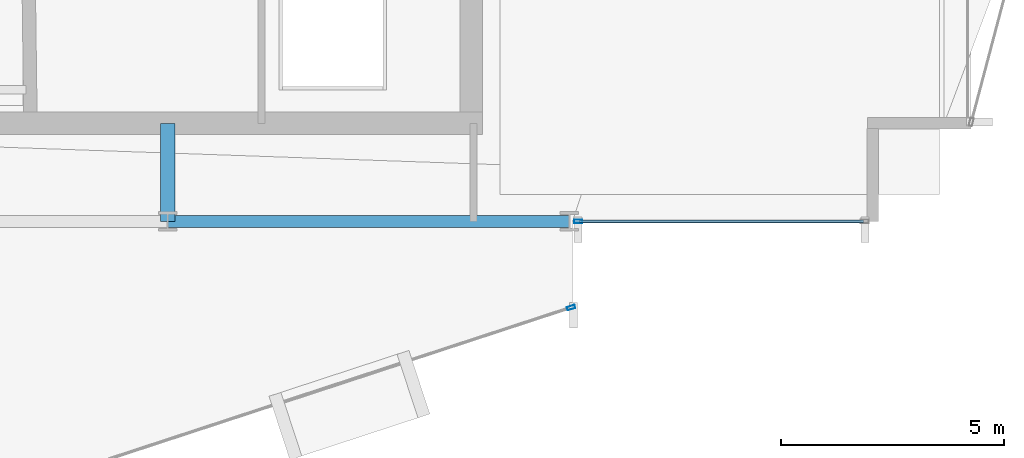
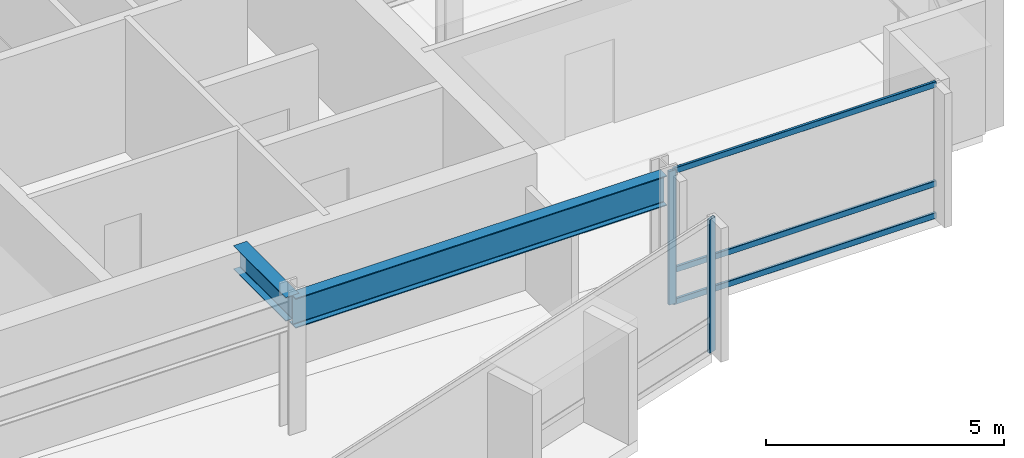
# One storey, part 10 of 29: 5 members, 2 beams, 2 elements without a shape of their own.
"""IFC4 building model written with IfcOpenShell, lengths in metres."""

from ifc_helpers import new_model, si_unit, direction, frame, origin, origin_2d, place, context, subcontext, project, spatial, hollow_rectangle, i_section, extrude, material, layer, layer_set, material_profile, profile_set, type_object, element, aggregate, save


model = new_model("IFC4")

# Units and contexts
model_context = context("Model", 3, precision=1e-05, world=origin(), true_north=direction((0.0, 1.0)))
body_context = subcontext(model_context, "Body", "Model", "MODEL_VIEW")
ifc_project = project(units=[si_unit("LENGTHUNIT", "METRE"), si_unit("AREAUNIT", "SQUARE_METRE"), si_unit("VOLUMEUNIT", "CUBIC_METRE"), si_unit("PLANEANGLEUNIT", "RADIAN"), si_unit("MASSUNIT", "GRAM", prefix="KILO")], contexts=[model_context])

# Site, building, storey
site_placement = place(None, origin())
site = spatial("IfcSite", under=ifc_project, at=site_placement, CompositionType="ELEMENT")
building_placement = place(site_placement, origin())
building = spatial("IfcBuilding", under=site, at=building_placement, Name="Solvaryn Broadcast Tower", CompositionType="ELEMENT")
storey_placement = place(building_placement, frame((0.0, 0.0, 161.800048828125)))
storey = spatial("IfcBuildingStorey", under=building, at=storey_placement, Name="L40", CompositionType="ELEMENT", Elevation=161.800048828125)

# Beams
ifc_material_1 = material(Name="Steel ASTM A992 Grade 50", Category="steel")
ifc_material_profile_1 = material_profile(ifc_material_1, i_section(OverallWidth=0.323974609375, OverallDepth=0.611083984375, WebThickness=0.0126953125, FlangeThickness=0.01904296875, FilletRadius=0.014892578125, at=origin_2d()))
ifc_profile_set_1 = profile_set([ifc_material_profile_1], Name="Steel ASTM A992 Grade 50")
beam_type_1 = type_object("IfcBeamType", Name="BM-B1-W24X104", PredefinedType="BEAM", material=ifc_profile_set_1)
beam_1_placement = place(storey_placement, frame((36.0, 9.0, 3.114501953125), z_axis=(0.0, 1.0, 0.0), x_axis=(-1.0, 0.0, 0.0)))
element("IfcBeam", 1, at=beam_1_placement, inside=storey, type_object=beam_type_1, Name="L40 Core Tie Beam CTE1", PredefinedType="BEAM", context=body_context, shape_type="SweptSolid", body=[
    extrude(i_section(OverallWidth=0.323974609375, OverallDepth=0.611083984375, WebThickness=0.0126953125, FlangeThickness=0.01904296875, FilletRadius=0.014892578125, at=origin_2d()), origin(), (0.0, 0.0, 1.0), 2.199951171875),
])
ifc_material_2 = material(Name="Steel ASTM A992 Grade 50", Category="steel")
ifc_material_profile_2 = material_profile(ifc_material_2, i_section(OverallWidth=0.26708984375, OverallDepth=0.76611328125, WebThickness=0.014892578125, FlangeThickness=0.023681640625, FilletRadius=0.01806640625, at=origin_2d()))
ifc_profile_set_2 = profile_set([ifc_material_profile_2], Name="Steel ASTM A992 Grade 50")
beam_type_2 = type_object("IfcBeamType", Name="BM-SP2-W30X124", PredefinedType="USERDEFINED", material=ifc_profile_set_2)
beam_2_placement = place(storey_placement, frame((36.0, 9.0, 3.036865234375), z_axis=(1.0, 0.0, 0.0), x_axis=(0.0, 1.0, 0.0)))
element("IfcBeam", 2, at=beam_2_placement, inside=storey, type_object=beam_type_2, Name="L40 Spandrel Beam X (36-45 @ Y=9)", ObjectType="SPANDREL", PredefinedType="USERDEFINED", context=body_context, shape_type="SweptSolid", body=[
    extrude(i_section(OverallWidth=0.26708984375, OverallDepth=0.76611328125, WebThickness=0.014892578125, FlangeThickness=0.023681640625, FilletRadius=0.01806640625, at=origin_2d()), origin(), (0.0, 0.0, 1.0), 9.0),
])

# Curtain wall, member
ifc_material_3 = material(Name="Aluminium and Terracotta Unitised Curtain Wall", Category="masonry")
ifc_layer = layer(ifc_material_3, 0.199951171875)
ifc_layer_set = layer_set([ifc_layer], Name="CW-SYS2-LOWMID")
curtain_wall_type = type_object("IfcCurtainWallType", Name="CW-SYS2-LOWMID", PredefinedType="NOTDEFINED", material=ifc_layer_set)
curtain_wall_1_placement = place(storey_placement, origin())
curtain_wall_1 = element("IfcCurtainWall", 3, at=curtain_wall_1_placement, inside=storey, type_object=curtain_wall_type, Name="L40 Curtain Wall DR4", PredefinedType="NOTDEFINED")
ifc_material_4 = material(Name="Anodised Aluminium 6063-T6", Category="aluminium")
ifc_material_profile_3 = material_profile(ifc_material_4, hollow_rectangle(XDim=0.074951171875, YDim=0.179931640625, WallThickness=0.00390625, InnerFilletRadius=0.00390625, OuterFilletRadius=0.008056640625, at=origin_2d()))
ifc_profile_set_3 = profile_set([ifc_material_profile_3], Name="Anodised Aluminium 6063-T6")
member_type_1 = type_object("IfcMemberType", Name="CW-MUL-180", PredefinedType="MULLION", material=ifc_profile_set_3)
member_1_placement = place(storey_placement, frame((45.03857421875, 7.069580078125, 0.0), z_axis=(0.0, 0.0, 1.0), x_axis=(-0.311646057547, 0.950198260794, 0.0)))
member_1 = element("IfcMember", 4, at=member_1_placement, type_object=member_type_1, Name="CWS2 mullion 2", PredefinedType="MULLION", context=body_context, shape_type="SweptSolid", body=[
    extrude(hollow_rectangle(XDim=0.074951171875, YDim=0.179931640625, WallThickness=0.00390625, InnerFilletRadius=0.00390625, OuterFilletRadius=0.008056640625, at=origin_2d()), origin(), (0.0, 0.0, 1.0), 3.419921875),
])
aggregate(curtain_wall_1, [member_1])

# Curtain wall, members
curtain_wall_2_placement = place(storey_placement, origin())
curtain_wall_2 = element("IfcCurtainWall", 5, at=curtain_wall_2_placement, inside=storey, type_object=curtain_wall_type, Name="L40 Curtain Wall S2", PredefinedType="NOTDEFINED")
member_2_placement = place(storey_placement, frame((45.197021484375, 9.0, 0.0), z_axis=(0.0, 0.0, 1.0), x_axis=(0.0, 1.0, 0.0)))
member_2 = element("IfcMember", 6, at=member_2_placement, type_object=member_type_1, Name="CWS2 mullion 1", PredefinedType="MULLION", context=body_context, shape_type="SweptSolid", body=[
    extrude(hollow_rectangle(XDim=0.074951171875, YDim=0.179931640625, WallThickness=0.00390625, InnerFilletRadius=0.00390625, OuterFilletRadius=0.008056640625, at=origin_2d()), origin(), (0.0, 0.0, 1.0), 3.419921875),
])
ifc_material_5 = material(Name="Anodised Aluminium 6063-T6", Category="aluminium")
ifc_material_profile_4 = material_profile(ifc_material_5, hollow_rectangle(XDim=0.06494140625, YDim=0.14990234375, WallThickness=0.00390625, InnerFilletRadius=0.00390625, OuterFilletRadius=0.008056640625, at=origin_2d()))
ifc_profile_set_4 = profile_set([ifc_material_profile_4], Name="Anodised Aluminium 6063-T6")
member_type_2 = type_object("IfcMemberType", Name="CW-TRN-150", PredefinedType="USERDEFINED", material=ifc_profile_set_4)
member_3_placement = place(storey_placement, frame((45.22705078125, 9.0, 0.030029296875), z_axis=(1.0, 0.0, 0.0), x_axis=(0.0, 1.0, 0.0)))
member_3 = element("IfcMember", 7, at=member_3_placement, type_object=member_type_2, Name="CWS2 transom 1.1", ObjectType="TRANSOM", PredefinedType="USERDEFINED", context=body_context, shape_type="SweptSolid", body=[
    extrude(hollow_rectangle(XDim=0.06494140625, YDim=0.14990234375, WallThickness=0.00390625, InnerFilletRadius=0.00390625, OuterFilletRadius=0.008056640625, at=origin_2d()), origin(), (0.0, 0.0, 1.0), 6.363037109375),
])
member_4_placement = place(storey_placement, frame((45.22705078125, 9.0, 0.849853515625), z_axis=(1.0, 0.0, 0.0), x_axis=(0.0, 1.0, 0.0)))
member_4 = element("IfcMember", 8, at=member_4_placement, type_object=member_type_2, Name="CWS2 transom 1.2", ObjectType="TRANSOM", PredefinedType="USERDEFINED", context=body_context, shape_type="SweptSolid", body=[
    extrude(hollow_rectangle(XDim=0.06494140625, YDim=0.14990234375, WallThickness=0.00390625, InnerFilletRadius=0.00390625, OuterFilletRadius=0.008056640625, at=origin_2d()), origin(), (0.0, 0.0, 1.0), 6.363037109375),
])
member_5_placement = place(storey_placement, frame((45.22705078125, 9.0, 3.389892578125), z_axis=(1.0, 0.0, 0.0), x_axis=(0.0, 1.0, 0.0)))
member_5 = element("IfcMember", 9, at=member_5_placement, type_object=member_type_2, Name="CWS2 transom 1.3", ObjectType="TRANSOM", PredefinedType="USERDEFINED", context=body_context, shape_type="SweptSolid", body=[
    extrude(hollow_rectangle(XDim=0.06494140625, YDim=0.14990234375, WallThickness=0.00390625, InnerFilletRadius=0.00390625, OuterFilletRadius=0.008056640625, at=origin_2d()), origin(), (0.0, 0.0, 1.0), 6.363037109375),
])
aggregate(curtain_wall_2, [member_2, member_3, member_4, member_5])

save(model, "model.ifc")
